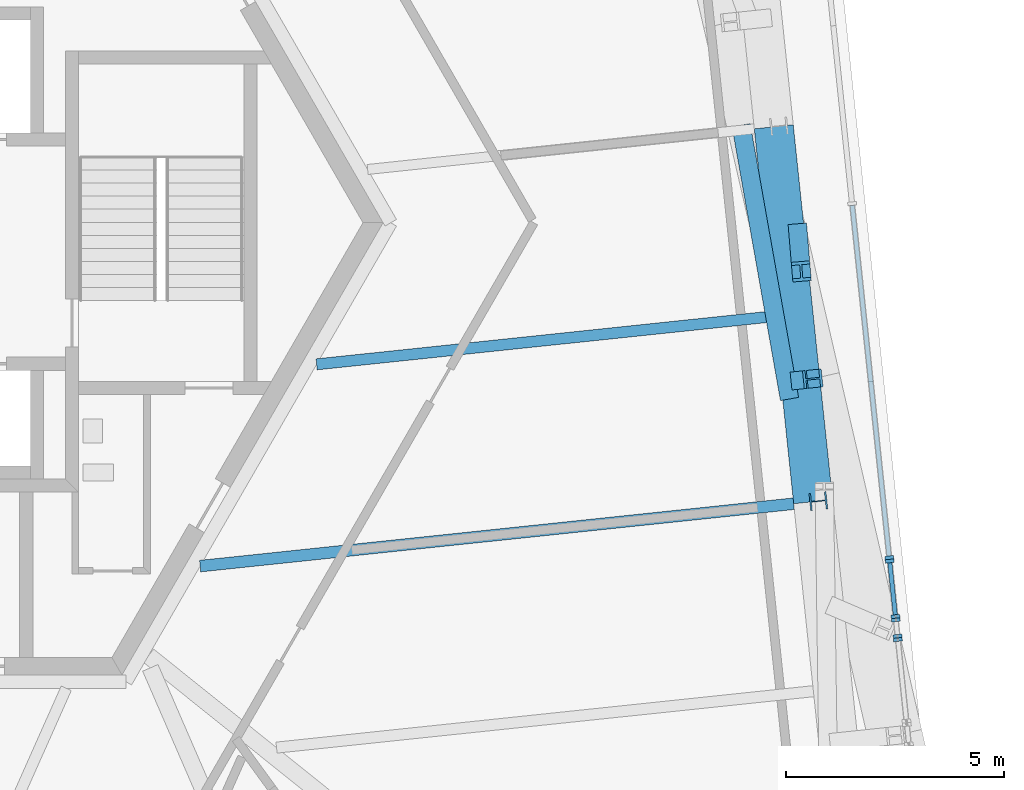
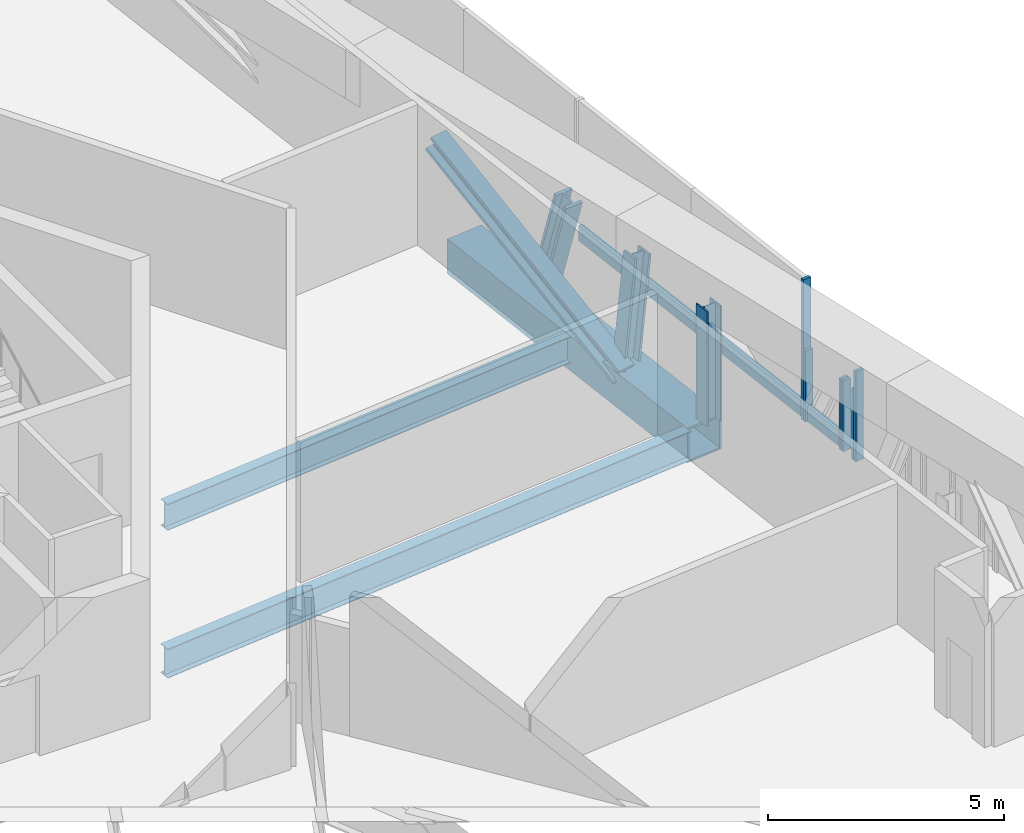
# One storey, part 5 of 30: 13 members, 2 beams, 4 elements without a shape of their own.
"""IFC4 building model written with IfcOpenShell, lengths in metres."""

from ifc_helpers import new_model, si_unit, direction, frame, origin, origin_2d, place, context, subcontext, project, spatial, rectangle, hollow_rectangle, i_section, extrude, source, transform, mapped, material, material_profile, profile_set, type_object, element, aggregate, save


model = new_model("IFC4")

# Units and contexts
model_context = context("Model", 3, precision=1e-05, world=origin(), true_north=direction((0.0, 1.0)))
body_context = subcontext(model_context, "Body", "Model", "MODEL_VIEW")
ifc_project = project(units=[si_unit("LENGTHUNIT", "METRE"), si_unit("AREAUNIT", "SQUARE_METRE"), si_unit("VOLUMEUNIT", "CUBIC_METRE"), si_unit("PLANEANGLEUNIT", "RADIAN"), si_unit("MASSUNIT", "GRAM", prefix="KILO")], contexts=[model_context])

# Site, building, storey
site_placement = place(None, origin())
site = spatial("IfcSite", under=ifc_project, at=site_placement, CompositionType="ELEMENT")
building_placement = place(site_placement, origin())
building = spatial("IfcBuilding", under=site, at=building_placement, Name="Triune Harvest Tower", CompositionType="ELEMENT")
storey_placement = place(building_placement, frame((0.0, 0.0, 94.5)))
storey = spatial("IfcBuildingStorey", under=building, at=storey_placement, Name="L23", CompositionType="ELEMENT", Elevation=94.5)

# Beam
ifc_material_1 = material(Name="Steel ASTM A992 Gr 50", Category="steel")
ifc_material_profile_1 = material_profile(ifc_material_1, i_section(OverallWidth=0.253662109375, OverallDepth=0.683349609375, WebThickness=0.012451171875, FlangeThickness=0.01904296875, at=origin_2d()), Name="W27x94")
ifc_profile_set_1 = profile_set([ifc_material_profile_1], Name="Steel ASTM A992 Gr 50")
beam_type_1 = type_object("IfcBeamType", Name="JT-4 Floor joist W27x94", PredefinedType="JOIST", material=ifc_profile_set_1)
beam_1_placement = place(storey_placement, frame((20.982177734375, -2.149658203125, -0.591552734375), z_axis=(-0.994522404079, -0.104523623093, 0.0), x_axis=(0.104523623093, -0.994522404079, 0.0)))
element("IfcBeam", 1, at=beam_1_placement, inside=storey, type_object=beam_type_1, Name="beam/L23/JT5", PredefinedType="JOIST", context=body_context, shape_type="SweptSolid", body=[
    extrude(i_section(OverallWidth=0.253662109375, OverallDepth=0.683349609375, WebThickness=0.012451171875, FlangeThickness=0.01904296875, at=origin_2d()), origin(), (0.0, 0.0, 1.0), 10.56689453125),
])

# Curtain wall, member
ifc_material_2 = material(Name="Aluminium bronze anodised", Category="aluminium")
curtain_wall_type = type_object("IfcCurtainWallType", Name="CW-5 Plant louvre wall", PredefinedType="NOTDEFINED", material=ifc_material_2)
curtain_wall_1_placement = place(storey_placement, origin())
curtain_wall_1 = element("IfcCurtainWall", 2, at=curtain_wall_1_placement, inside=storey, type_object=curtain_wall_type, Name="CW-5 B2-F1 L23 run 1401")
ifc_material_3 = material(Name="Aluminium bronze anodised", Category="aluminium")
ifc_material_profile_2 = material_profile(ifc_material_3, rectangle(XDim=0.10009765625, YDim=0.39990234375, at=origin_2d()), Name="TR-5 transom 100 x 400")
ifc_profile_set_2 = profile_set([ifc_material_profile_2], Name="Aluminium bronze anodised")
member_type_1 = type_object("IfcMemberType", Name="TR-5 transom 100 x 400", PredefinedType="USERDEFINED", material=ifc_profile_set_2)
member_1_placement = place(storey_placement, frame((23.76953125, -9.007080078125, 0.199951171875), z_axis=(-0.104684784518, 0.994505452921, 0.0), x_axis=(-0.994505452921, -0.104684784518, 0.0)))
member_1 = element("IfcMember", 3, at=member_1_placement, type_object=member_type_1, Name="CW-5 transom B2-F1 1401.1", ObjectType="TRANSOM", PredefinedType="USERDEFINED", context=body_context, shape_type="SweptSolid", body=[
    extrude(rectangle(XDim=0.10009765625, YDim=0.39990234375, at=origin_2d()), origin(), (0.0, 0.0, 1.0), 1.19873046875),
])

curtain_wall_2_placement = place(storey_placement, origin())
curtain_wall_2 = element("IfcCurtainWall", 4, at=curtain_wall_2_placement, inside=storey, type_object=curtain_wall_type, Name="CW-5 B2-F1 L23 run 1501")
member_2_placement = place(storey_placement, frame((23.62744140625, -7.65576171875, 0.199951171875), z_axis=(-0.104537287202, 0.994520967896, 0.0), x_axis=(-0.994520967896, -0.104537287202, 0.0)))
member_2 = element("IfcMember", 5, at=member_2_placement, type_object=member_type_1, Name="CW-5 transom B2-F1 1501.1", ObjectType="TRANSOM", PredefinedType="USERDEFINED", context=body_context, shape_type="SweptSolid", body=[
    extrude(rectangle(XDim=0.10009765625, YDim=0.39990234375, at=origin_2d()), origin(), (0.0, 0.0, 1.0), 8.099365234375),
])

# Beam
ifc_material_4 = material(Name="Steel ASTM A992 Gr 50", Category="steel")
ifc_material_profile_3 = material_profile(ifc_material_4, i_section(OverallWidth=0.2666015625, OverallDepth=0.7568359375, WebThickness=0.013916015625, FlangeThickness=0.019287109375, at=origin_2d()), Name="W30x108")
ifc_profile_set_3 = profile_set([ifc_material_profile_3], Name="Steel ASTM A992 Gr 50")
beam_type_2 = type_object("IfcBeamType", Name="JT-5 Floor joist W30x108", PredefinedType="JOIST", material=ifc_profile_set_3)
shared_shape_1 = source(origin(), body_context, "Body", "SweptSolid", [
    extrude(i_section(OverallWidth=0.2666015625, OverallDepth=0.7568359375, WebThickness=0.013916015625, FlangeThickness=0.019287109375, at=origin_2d()), origin(), (0.0, 0.0, 1.0), 13.713623046875),
])
beam_2_placement = place(storey_placement, frame((21.434814453125, -6.45703125, -0.62841796875), z_axis=(-0.994522705756, -0.104520752654, 0.0), x_axis=(0.104520752654, -0.994522705756, 0.0)))
element("IfcBeam", 6, at=beam_2_placement, inside=storey, type_object=beam_type_2, Name="beam/L23/JT4", PredefinedType="JOIST", context=body_context, shape_type="MappedRepresentation", body=[
    mapped(shared_shape_1, transform((0.0, 0.0, 0.0), scale=1.0)),
])

# Members
ifc_material_5 = material(Name="Steel ASTM A992 Gr 50", Category="steel")
ifc_material_profile_4 = material_profile(ifc_material_5, i_section(OverallWidth=0.398681640625, OverallDepth=0.393798828125, WebThickness=0.022705078125, FlangeThickness=0.03662109375, at=origin_2d()), Name="W14x193")
ifc_profile_set_4 = profile_set([ifc_material_profile_4], Name="Steel ASTM A992 Gr 50")
member_type_2 = type_object("IfcMemberType", Name="WP-2 Roof edge post W14x193", PredefinedType="POST", material=ifc_profile_set_4)
shared_shape_2 = source(origin(), body_context, "Body", "SweptSolid", [
    extrude(i_section(OverallWidth=0.398681640625, OverallDepth=0.393798828125, WebThickness=0.022705078125, FlangeThickness=0.03662109375, at=origin_2d()), origin(), (0.0, 0.0, 1.0), 2.9755859375),
])
member_3_placement = place(storey_placement, frame((22.001708984375, -6.3974609375, -0.25), z_axis=(0.0, 0.0, 1.0), x_axis=(-0.104526727499, 0.994522077803, 0.0)))
element("IfcMember", 7, at=member_3_placement, inside=storey, type_object=member_type_2, Name="post/L23/W2", PredefinedType="POST", context=body_context, shape_type="MappedRepresentation", body=[
    mapped(shared_shape_2, transform((0.0, 0.0, 0.0), scale=1.0)),
])
ifc_material_6 = material(Name="Steel ASTM A572 Gr 50", Category="steel")
ifc_material_profile_5 = material_profile(ifc_material_6, hollow_rectangle(XDim=0.89990234375, YDim=0.89990234375, WallThickness=0.050048828125, at=origin_2d()), Name="Box 900x900x50")
ifc_profile_set_5 = profile_set([ifc_material_profile_5], Name="Steel ASTM A572 Gr 50")
member_type_3 = type_object("IfcMemberType", Name="TC-2 Belt truss chord Box 900x900x50", PredefinedType="CHORD", material=ifc_profile_set_5)
shared_shape_3 = source(origin(), body_context, "Body", "SweptSolid", [
    extrude(hollow_rectangle(XDim=0.89990234375, YDim=0.89990234375, WallThickness=0.050048828125, at=origin_2d()), origin(), (0.0, 0.0, 1.0), 8.662109375),
])
member_4_placement = place(storey_placement, frame((21.88232421875, -6.409912109375, -0.699951171875), z_axis=(-0.104508725265, 0.994523969718, 0.0), x_axis=(-0.994523969718, -0.104508725265, 0.0)))
element("IfcMember", 8, at=member_4_placement, inside=storey, type_object=member_type_3, Name="truss/L23/TCB3", PredefinedType="CHORD", context=body_context, shape_type="MappedRepresentation", body=[
    mapped(shared_shape_3, transform((0.0, 0.0, 0.0), scale=1.0)),
])
ifc_material_7 = material(Name="Steel ASTM A992 Gr 50", Category="steel")
ifc_material_profile_6 = material_profile(ifc_material_7, i_section(OverallWidth=0.411376953125, OverallDepth=0.434326171875, WebThickness=0.035888671875, FlangeThickness=0.057373046875, at=origin_2d()), Name="W14x311")
ifc_profile_set_6 = profile_set([ifc_material_profile_6], Name="Steel ASTM A992 Gr 50")
member_type_4 = type_object("IfcMemberType", Name="TV-1 Belt truss strut W14x311", PredefinedType="STRUT", material=ifc_profile_set_6)
shared_shape_4 = source(origin(), body_context, "Body", "SweptSolid", [
    extrude(i_section(OverallWidth=0.411376953125, OverallDepth=0.434326171875, WebThickness=0.035888671875, FlangeThickness=0.057373046875, at=origin_2d()), origin(), (0.0, 0.0, 1.0), 2.715087890625),
])
member_5_placement = place(storey_placement, frame((21.588623046875, -3.615966796875, -0.27490234375), z_axis=(0.104669019435, 0.011060386074, 0.994445606471), x_axis=(-0.105085033098, 0.994463240054, 0.0)))
element("IfcMember", 9, at=member_5_placement, inside=storey, type_object=member_type_4, Name="truss/L23/TS3", PredefinedType="STRUT", context=body_context, shape_type="MappedRepresentation", body=[
    mapped(shared_shape_4, transform((0.0, 0.0, 0.0), scale=1.0)),
])
ifc_material_8 = material(Name="Steel ASTM A992 Gr 50", Category="steel")
ifc_material_profile_7 = material_profile(ifc_material_8, i_section(OverallWidth=0.424072265625, OverallDepth=0.47509765625, WebThickness=0.0478515625, FlangeThickness=0.0771484375, at=origin_2d()), Name="W14x426")
ifc_profile_set_7 = profile_set([ifc_material_profile_7], Name="Steel ASTM A992 Gr 50")
member_type_5 = type_object("IfcMemberType", Name="TD-1 Belt truss diagonal W14x426", PredefinedType="BRACE", material=ifc_profile_set_7)
shared_shape_5 = source(origin(), body_context, "Body", "SweptSolid", [
    extrude(i_section(OverallWidth=0.424072265625, OverallDepth=0.47509765625, WebThickness=0.0478515625, FlangeThickness=0.0771484375, at=origin_2d()), origin(), (0.0, 0.0, 1.0), 6.778076171875),
])
member_6_placement = place(storey_placement, frame((21.32275390625, -3.955078125, -0.324951171875), z_axis=(-0.159131379082, 0.90003958816, 0.4057165808), x_axis=(-0.984727172146, -0.174104556049, 0.0)))
element("IfcMember", 10, at=member_6_placement, inside=storey, type_object=member_type_5, Name="truss/L23/TD5", PredefinedType="BRACE", context=body_context, shape_type="MappedRepresentation", body=[
    mapped(shared_shape_5, transform((0.0, 0.0, 0.0), scale=1.0)),
])
shared_shape_6 = source(origin(), body_context, "Body", "SweptSolid", [
    extrude(i_section(OverallWidth=0.424072265625, OverallDepth=0.47509765625, WebThickness=0.0478515625, FlangeThickness=0.0771484375, at=origin_2d()), origin(), (0.0, 0.0, 1.0), 2.884765625),
])
member_7_placement = place(storey_placement, frame((21.53662109375, -0.25, -0.324951171875), z_axis=(0.025050166792, -0.301109775158, 0.953260401175), x_axis=(0.996557338437, 0.082906400275, 0.0)))
element("IfcMember", 11, at=member_7_placement, inside=storey, type_object=member_type_5, Name="truss/L23/TD6", PredefinedType="BRACE", context=body_context, shape_type="MappedRepresentation", body=[
    mapped(shared_shape_6, transform((0.0, 0.0, 0.0), scale=1.0)),
])

# Curtain wall, member
curtain_wall_3_placement = place(storey_placement, origin())
curtain_wall_3 = element("IfcCurtainWall", 12, at=curtain_wall_3_placement, inside=storey, type_object=curtain_wall_type, Name="CW-5 B2-F1 L23 run 1201")
ifc_material_9 = material(Name="Aluminium bronze anodised", Category="aluminium")
ifc_material_profile_8 = material_profile(ifc_material_9, rectangle(XDim=0.199951171875, YDim=0.080078125, at=origin_2d()), Name="MU-5 mullion 80 x 200")
ifc_profile_set_8 = profile_set([ifc_material_profile_8], Name="Aluminium bronze anodised")
member_type_6 = type_object("IfcMemberType", Name="MU-5 mullion 80 x 200", PredefinedType="MULLION", material=ifc_profile_set_8)
shared_shape_7 = source(origin(), body_context, "Body", "SweptSolid", [
    extrude(rectangle(XDim=0.199951171875, YDim=0.080078125, at=origin_2d()), origin(), (0.0, 0.0, 1.0), 2.330078125),
])
member_8_placement = place(storey_placement, frame((23.82958984375, -9.57958984375, 0.0), z_axis=(0.0, 0.0, 1.0), x_axis=(-0.994519416938, -0.104552041271, 0.0)))
member_8 = element("IfcMember", 13, at=member_8_placement, type_object=member_type_6, Name="CW-5 mullion B2-F1 1201.2", PredefinedType="MULLION", context=body_context, shape_type="MappedRepresentation", body=[
    mapped(shared_shape_7, transform((0.0, 0.0, 0.0), scale=1.0)),
])
aggregate(curtain_wall_3, [member_8])

# Member
shared_shape_8 = source(origin(), body_context, "Body", "SweptSolid", [
    extrude(rectangle(XDim=0.199951171875, YDim=0.080078125, at=origin_2d()), origin(), (0.0, 0.0, 1.0), 3.639892578125),
])
member_9_placement = place(storey_placement, frame((23.631591796875, -7.695556640625, 0.0), z_axis=(0.0, 0.0, 1.0), x_axis=(-0.994521914318, -0.104528282973, 0.0)))
member_9 = element("IfcMember", 14, at=member_9_placement, type_object=member_type_6, Name="CW-5 mullion B2-F1 1501.1", PredefinedType="MULLION", context=body_context, shape_type="MappedRepresentation", body=[
    mapped(shared_shape_8, transform((0.0, 0.0, 0.0), scale=1.0)),
])

aggregate(curtain_wall_2, [member_9, member_2])

# Curtain wall, members
curtain_wall_4_placement = place(storey_placement, origin())
curtain_wall_4 = element("IfcCurtainWall", 15, at=curtain_wall_4_placement, inside=storey, type_object=curtain_wall_type, Name="CW-5 B2-F1 L23 run 1301")
shared_shape_9 = source(origin(), body_context, "Body", "SweptSolid", [
    extrude(rectangle(XDim=0.199951171875, YDim=0.080078125, at=origin_2d()), origin(), (0.0, 0.0, 1.0), 1.836181640625),
])
member_10_placement = place(storey_placement, frame((23.8212890625, -9.5, 0.0), z_axis=(0.0, 0.0, 1.0), x_axis=(-0.99452947556, -0.104456317386, 0.0)))
member_10 = element("IfcMember", 16, at=member_10_placement, type_object=member_type_6, Name="CW-5 mullion B2-F1 1301.1", PredefinedType="MULLION", context=body_context, shape_type="MappedRepresentation", body=[
    mapped(shared_shape_9, transform((0.0, 0.0, 0.0), scale=1.0)),
])
member_11_placement = place(storey_placement, frame((23.781982421875, -9.12646484375, 0.0), z_axis=(0.0, 0.0, 1.0), x_axis=(-0.99452947556, -0.104456317386, 0.0)))
member_11 = element("IfcMember", 17, at=member_11_placement, type_object=member_type_6, Name="CW-5 mullion B2-F1 1301.2", PredefinedType="MULLION", context=body_context, shape_type="MappedRepresentation", body=[
    mapped(shared_shape_9, transform((0.0, 0.0, 0.0), scale=1.0)),
])
aggregate(curtain_wall_4, [member_10, member_11])

# Member
shared_shape_10 = source(origin(), body_context, "Body", "SweptSolid", [
    extrude(rectangle(XDim=0.199951171875, YDim=0.080078125, at=origin_2d()), origin(), (0.0, 0.0, 1.0), 1.8359375),
])
member_12_placement = place(storey_placement, frame((23.773681640625, -9.046875, 0.0), z_axis=(0.0, 0.0, 1.0), x_axis=(-0.994523184005, -0.104516201984, 0.0)))
member_12 = element("IfcMember", 18, at=member_12_placement, type_object=member_type_6, Name="CW-5 mullion B2-F1 1401.1", PredefinedType="MULLION", context=body_context, shape_type="MappedRepresentation", body=[
    mapped(shared_shape_10, transform((0.0, 0.0, 0.0), scale=1.0)),
])

member_13_placement = place(storey_placement, frame((23.639892578125, -7.775146484375, 0.0), z_axis=(0.0, 0.0, 1.0), x_axis=(-0.994523184005, -0.104516201984, 0.0)))
member_13 = element("IfcMember", 19, at=member_13_placement, type_object=member_type_6, Name="CW-5 mullion B2-F1 1401.2", PredefinedType="MULLION", context=body_context, shape_type="MappedRepresentation", body=[
    mapped(shared_shape_10, transform((0.0, 0.0, 0.0), scale=1.0)),
])

aggregate(curtain_wall_1, [member_12, member_13, member_1])

save(model, "model.ifc")
